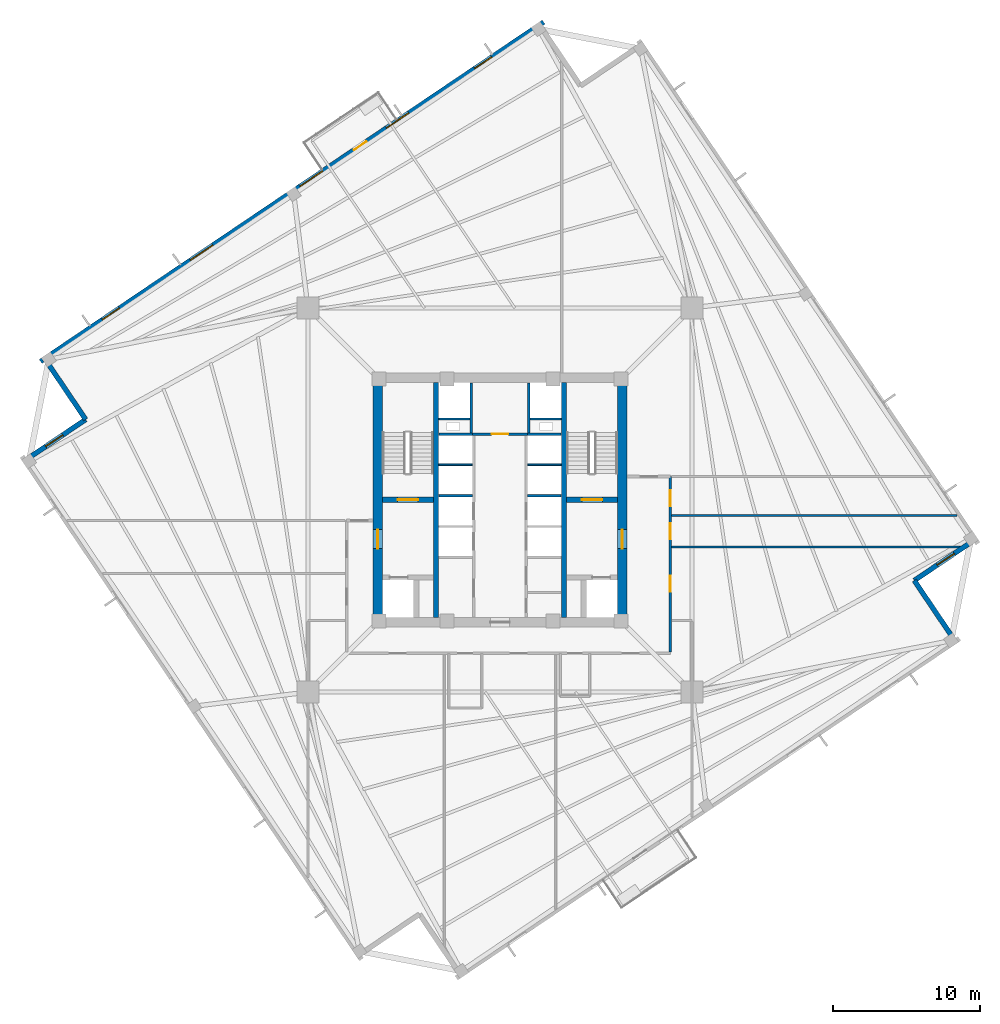
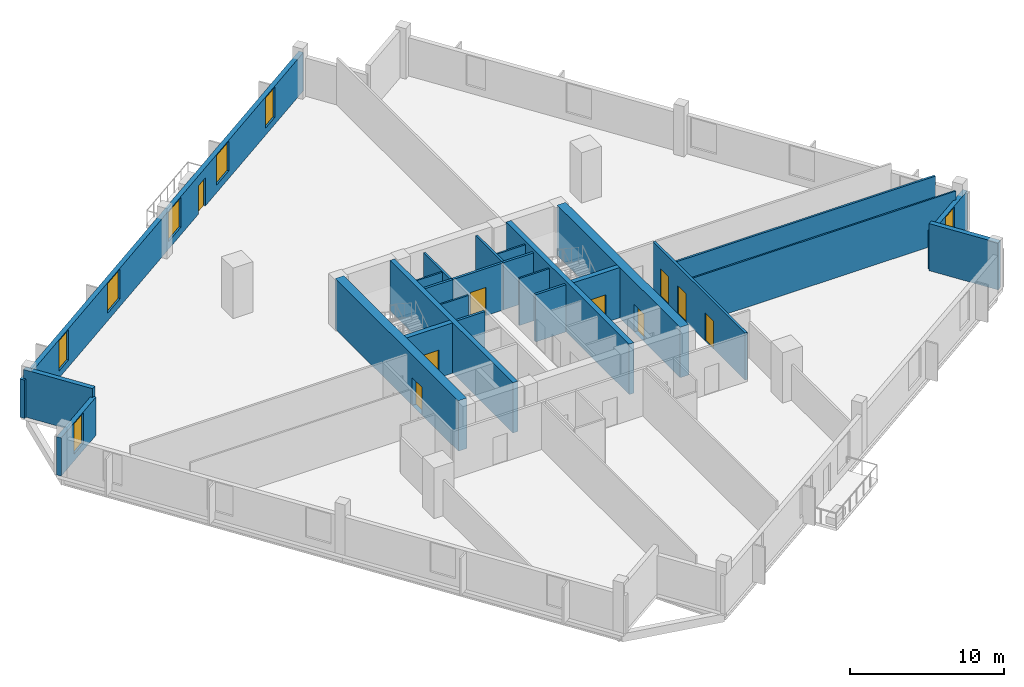
# One storey, part 4 of 8: 25 walls, 9 doors, 7 windows, 16 openings.
"""IFC4 building model written with IfcOpenShell, lengths in metres."""

from ifc_helpers import new_model, si_unit, direction, frame, frame_2d, origin, place, context, subcontext, project, spatial, rectangle, extrude, source, transform, mapped, material, layer, layer_set, type_object, element, fill, save


model = new_model("IFC4")

# Units and contexts
model_context = context("Model", 3, precision=1e-05, world=origin(), true_north=direction((0.0, 1.0)))
body_context = subcontext(model_context, "Body", "Model", "MODEL_VIEW")
ifc_project = project(units=[si_unit("LENGTHUNIT", "METRE"), si_unit("AREAUNIT", "SQUARE_METRE"), si_unit("VOLUMEUNIT", "CUBIC_METRE"), si_unit("PLANEANGLEUNIT", "RADIAN"), si_unit("MASSUNIT", "GRAM", prefix="KILO"), si_unit("THERMODYNAMICTEMPERATUREUNIT", "KELVIN")], contexts=[model_context])

# Site, building, storey
site_placement = place(None, origin())
site = spatial("IfcSite", under=ifc_project, at=site_placement, CompositionType="ELEMENT")
building_placement = place(site_placement, origin())
building = spatial("IfcBuilding", under=site, at=building_placement, Name="Kosmvard Interchange Tower", CompositionType="ELEMENT")
storey_placement = place(building_placement, frame((0.0, 0.0, 176.39990234375)))
storey = spatial("IfcBuildingStorey", under=building, at=storey_placement, Name="L42", CompositionType="ELEMENT", Elevation=176.39990234375)

# Walls
ifc_material_1 = material(Name="Acoustic gypsum partition system")
ifc_layer_1 = layer(ifc_material_1, 0.14990234375, Name="Acoustic gypsum partition system")
ifc_layer_set_1 = layer_set([ifc_layer_1], Name="Acoustic gypsum partition system")
wall_type_1 = type_object("IfcWallType", Name="Acoustic Suite & Meeting Partition 150", PredefinedType="PARTITIONING", material=ifc_layer_set_1)
wall_1_placement = place(storey_placement, frame((11.695068359375, -1.050048828125, 0.0), z_axis=(0.0, 0.0, 1.0), x_axis=(1.0, 0.0, 0.0)))
element("IfcWall", 1, at=wall_1_placement, inside=storey, type_object=wall_type_1, Name="L42 Room Partition 03.1", PredefinedType="PARTITIONING", context=body_context, shape_type="SweptSolid", body=[
    extrude(rectangle(XDim=19.43994140625, YDim=0.14990234375, at=frame_2d((9.719970703125, 0.0))), origin(), (0.0, 0.0, 1.0), 3.739990234375),
])
ifc_material_2 = material(Name="Fire-rated gypsum partition system")
ifc_layer_2 = layer(ifc_material_2, 0.159912109375, Name="Fire-rated gypsum partition system")
ifc_layer_set_2 = layer_set([ifc_layer_2], Name="Fire-rated gypsum partition system")
wall_type_2 = type_object("IfcWallType", Name="Core Compartment & Shuttle Lobby Partition 160", PredefinedType="PARTITIONING", material=ifc_layer_set_2)
for number, where, z_axis, x_axis, name in (
    (2, (-1.9599609375, 4.580078125, 0.0), (0.0, 0.0, 1.0), (0.0, 1.0, 0.0), "L42 North Core West Wall"),
    (3, (1.9599609375, 4.580078125, 0.0), (0.0, 0.0, 1.0), (0.0, 1.0, 0.0), "L42 North Core East Wall"),
):
    element("IfcWall", number, at=place(storey_placement, frame(where, z_axis=z_axis, x_axis=x_axis)), inside=storey, type_object=wall_type_2, Name=name, PredefinedType="PARTITIONING", context=body_context, shape_type="SweptSolid", body=[
        extrude(rectangle(XDim=3.39990234375, YDim=0.159912109375, at=frame_2d((1.699951171875, 0.0))), origin(), (0.0, 0.0, 1.0), 3.739990234375),
    ])

# Wall, opening, door
ifc_layer_3 = layer(ifc_material_2, 0.179931640625, Name="Fire-rated gypsum partition system")
ifc_layer_set_3 = layer_set([ifc_layer_3], Name="Fire-rated gypsum partition system")
wall_type_3 = type_object("IfcWallType", Name="Corridor & Hotel Compartment Partition 180", PredefinedType="PARTITIONING", material=ifc_layer_set_3)
wall_2_placement = place(storey_placement, frame((-1.8798828125, 4.489990234375, 0.0), z_axis=(0.0, 0.0, 1.0), x_axis=(1.0, 0.0, 0.0)))
wall_2 = element("IfcWall", 4, at=wall_2_placement, inside=storey, type_object=wall_type_3, Name="L42 Lift Lobby North Partition", PredefinedType="PARTITIONING", context=body_context, shape_type="SweptSolid", body=[
    extrude(rectangle(XDim=3.759765625, YDim=0.179931640625, at=frame_2d((1.8798828125, 0.0))), origin(), (0.0, 0.0, 1.0), 3.739990234375),
])
opening_1_placement = place(wall_2_placement, frame((1.304931640625, 0.0, 0.0)))
opening_1 = element("IfcOpeningElement", 5, at=opening_1_placement, cuts=wall_2, Name="Opening L42-KD1", PredefinedType="OPENING", context=body_context, shape_type="SweptSolid", body=[
    extrude(rectangle(XDim=1.14990234375, YDim=2.25, at=frame_2d((0.574951171875, 1.125))), frame((0.0, 0.10009765625, 0.0), z_axis=(0.0, -1.0, 0.0), x_axis=(1.0, 0.0, 0.0)), (0.0, 0.0, 1.0), 0.199951171875),
])
ifc_material_3 = material(Name="Painted fire-rated steel leaf", Category="steel")
door_type_1 = type_object("IfcDoorType", Name="Plant & Riser Fire Door 1150x2250 EI60", OperationType="NOTDEFINED", PredefinedType="DOOR", material=ifc_material_3)
shared_shape_1 = source(origin(), body_context, "Body", "SweptSolid", [
    extrude(rectangle(XDim=1.14990234375, YDim=2.25, at=frame_2d((0.574951171875, 1.125))), frame((0.0, 0.02490234375, 0.0), z_axis=(0.0, -1.0, 0.0), x_axis=(1.0, 0.0, 0.0)), (0.0, 0.0, 1.0), 0.050048828125),
])
door_1_placement = place(opening_1_placement, origin())
door_1 = element("IfcDoor", 6, at=door_1_placement, inside=storey, type_object=door_type_1, Name="L42 Core IT Room Door", OperationType="SINGLE_SWING_LEFT", OverallHeight=2.25, OverallWidth=1.14990234375, PredefinedType="DOOR", context=body_context, shape_type="MappedRepresentation", body=[
    mapped(shared_shape_1, transform((0.0, 0.0, 0.0), scale=1.0)),
])
fill(opening_1, door_1)

# Wall, openings, doors
wall_3_placement = place(storey_placement, frame((11.60009765625, -10.35009765625, 0.0), z_axis=(0.0, 0.0, 1.0), x_axis=(0.0, 1.0, 0.0)))
wall_3 = element("IfcWall", 7, at=wall_3_placement, inside=storey, type_object=wall_type_3, Name="L42 Corridor Wall CE", PredefinedType="PARTITIONING", context=body_context, shape_type="SweptSolid", body=[
    extrude(rectangle(XDim=11.9501953125, YDim=0.179931640625, at=frame_2d((5.97509765625, 0.0))), origin(), (0.0, 0.0, 1.0), 3.739990234375),
])
opening_2_placement = place(wall_3_placement, frame((9.91064453125, 0.0, 0.0)))
opening_2 = element("IfcOpeningElement", 8, at=opening_2_placement, cuts=wall_3, Name="Opening L42-D05", PredefinedType="OPENING", context=body_context, shape_type="SweptSolid", body=[
    extrude(rectangle(XDim=1.10009765625, YDim=2.199951171875, at=frame_2d((0.550048828125, 1.10009765625))), frame((0.0, 0.10009765625, 0.0), z_axis=(0.0, -1.0, 0.0), x_axis=(1.0, 0.0, 0.0)), (0.0, 0.0, 1.0), 0.199951171875),
])
opening_3_placement = place(wall_3_placement, frame((4.10009765625, 0.0, 0.0)))
opening_3 = element("IfcOpeningElement", 9, at=opening_3_placement, cuts=wall_3, Name="Opening L42-D11", PredefinedType="OPENING", context=body_context, shape_type="SweptSolid", body=[
    extrude(rectangle(XDim=1.10009765625, YDim=2.199951171875, at=frame_2d((0.550048828125, 1.10009765625))), frame((0.0, 0.10009765625, 0.0), z_axis=(0.0, -1.0, 0.0), x_axis=(1.0, 0.0, 0.0)), (0.0, 0.0, 1.0), 0.199951171875),
])
opening_4_placement = place(wall_3_placement, frame((7.675048828125, 0.0, 0.0)))
opening_4 = element("IfcOpeningElement", 10, at=opening_4_placement, cuts=wall_3, Name="Opening L42-D12", PredefinedType="OPENING", context=body_context, shape_type="SweptSolid", body=[
    extrude(rectangle(XDim=1.10009765625, YDim=2.199951171875, at=frame_2d((0.550048828125, 1.10009765625))), frame((0.0, 0.10009765625, 0.0), z_axis=(0.0, -1.0, 0.0), x_axis=(1.0, 0.0, 0.0)), (0.0, 0.0, 1.0), 0.199951171875),
])
ifc_material_4 = material(Name="Engineered oak fire-rated timber", Category="wood")
door_type_2 = type_object("IfcDoorType", Name="Office Suite Entrance Door 1100x2200 FD30S", OperationType="NOTDEFINED", PredefinedType="DOOR", material=ifc_material_4)
shared_shape_2 = source(origin(), body_context, "Body", "SweptSolid", [
    extrude(rectangle(XDim=1.10009765625, YDim=2.199951171875, at=frame_2d((0.550048828125, 1.10009765625))), frame((0.0, 0.02490234375, 0.0), z_axis=(0.0, -1.0, 0.0), x_axis=(1.0, 0.0, 0.0)), (0.0, 0.0, 1.0), 0.050048828125),
])
door_2_placement = place(opening_2_placement, frame((1.10009765625, 0.0, 0.0), z_axis=(0.0, 0.0, 1.0), x_axis=(-1.0, 0.0, 0.0)))
door_2 = element("IfcDoor", 11, at=door_2_placement, inside=storey, type_object=door_type_2, Name="L42 East Market Briefing Hall Door", OperationType="SINGLE_SWING_LEFT", OverallHeight=2.199951171875, OverallWidth=1.10009765625, PredefinedType="DOOR", context=body_context, shape_type="MappedRepresentation", body=[
    mapped(shared_shape_2, transform((0.0, 0.0, 0.0), scale=1.0)),
])
fill(opening_2, door_2)
door_3_placement = place(opening_3_placement, frame((1.10009765625, 0.0, 0.0), z_axis=(0.0, 0.0, 1.0), x_axis=(-1.0, 0.0, 0.0)))
door_3 = element("IfcDoor", 12, at=door_3_placement, inside=storey, type_object=door_type_2, Name="L42 Communal Catering Pantry Door", OperationType="SINGLE_SWING_LEFT", OverallHeight=2.199951171875, OverallWidth=1.10009765625, PredefinedType="DOOR", context=body_context, shape_type="MappedRepresentation", body=[
    mapped(shared_shape_2, transform((0.0, 0.0, 0.0), scale=1.0)),
])
fill(opening_3, door_3)
door_4_placement = place(opening_4_placement, frame((1.10009765625, 0.0, 0.0), z_axis=(0.0, 0.0, 1.0), x_axis=(-1.0, 0.0, 0.0)))
door_4 = element("IfcDoor", 13, at=door_4_placement, inside=storey, type_object=door_type_2, Name="L42 Deal Conference Room 2 Door", OperationType="SINGLE_SWING_RIGHT", OverallHeight=2.199951171875, OverallWidth=1.10009765625, PredefinedType="DOOR", context=body_context, shape_type="MappedRepresentation", body=[
    mapped(shared_shape_2, transform((0.0, 0.0, 0.0), scale=1.0)),
])
fill(opening_4, door_4)

# Wall, opening, door
ifc_material_5 = material(Name="Concrete C70/85", Category="concrete")
ifc_layer_4 = layer(ifc_material_5, 0.64990234375, Name="Concrete C70/85")
ifc_layer_set_4 = layer_set([ifc_layer_4], Name="Concrete C70/85")
wall_type_4 = type_object("IfcWallType", Name="Mid Core Shear Wall 650 C70/85", PredefinedType="SHEAR", material=ifc_layer_set_4)
wall_4_placement = place(storey_placement, frame((-8.324951171875, -8.0, 0.0), z_axis=(0.0, 0.0, 1.0), x_axis=(0.0, 1.0, 0.0)))
wall_4 = element("IfcWall", 14, at=wall_4_placement, inside=storey, type_object=wall_type_4, Name="L42 Core Shear Wall CW-W", PredefinedType="SHEAR", context=body_context, shape_type="SweptSolid", body=[
    extrude(rectangle(XDim=16.0, YDim=0.64990234375, at=frame_2d((8.0, 0.0))), origin(), (0.0, 0.0, 1.0), 4.0),
])
opening_5_placement = place(wall_4_placement, frame((4.68994140625, 0.0, 0.0)))
opening_5 = element("IfcOpeningElement", 15, at=opening_5_placement, cuts=wall_4, Name="Opening L42-FD1", PredefinedType="OPENING", context=body_context, shape_type="SweptSolid", body=[
    extrude(rectangle(XDim=1.300048828125, YDim=2.199951171875, at=frame_2d((0.64990234375, 1.10009765625))), frame((0.0, 0.3349609375, 0.0), z_axis=(0.0, -1.0, 0.0), x_axis=(1.0, 0.0, 0.0)), (0.0, 0.0, 1.0), 0.669921875),
])
door_type_3 = type_object("IfcDoorType", Name="Firefighting Lobby Door 1300x2200 EI60", OperationType="NOTDEFINED", PredefinedType="DOOR", material=ifc_material_3)
shared_shape_3 = source(origin(), body_context, "Body", "SweptSolid", [
    extrude(rectangle(XDim=1.300048828125, YDim=2.199951171875, at=frame_2d((0.64990234375, 1.10009765625))), frame((0.0, 0.02490234375, 0.0), z_axis=(0.0, -1.0, 0.0), x_axis=(1.0, 0.0, 0.0)), (0.0, 0.0, 1.0), 0.050048828125),
])
door_5_placement = place(opening_5_placement, frame((1.300048828125, 0.0, 0.0), z_axis=(0.0, 0.0, 1.0), x_axis=(-1.0, 0.0, 0.0)))
door_5 = element("IfcDoor", 16, at=door_5_placement, inside=storey, type_object=door_type_3, Name="L42 Firefighting Lobby West Door", OperationType="SINGLE_SWING_LEFT", OverallHeight=2.199951171875, OverallWidth=1.300048828125, PredefinedType="DOOR", context=body_context, shape_type="MappedRepresentation", body=[
    mapped(shared_shape_3, transform((0.0, 0.0, 0.0), scale=1.0)),
])
fill(opening_5, door_5)

wall_5_placement = place(storey_placement, frame((8.324951171875, -8.0, 0.0), z_axis=(0.0, 0.0, 1.0), x_axis=(0.0, 1.0, 0.0)))
wall_5 = element("IfcWall", 17, at=wall_5_placement, inside=storey, type_object=wall_type_4, Name="L42 Core Shear Wall CW-E", PredefinedType="SHEAR", context=body_context, shape_type="SweptSolid", body=[
    extrude(rectangle(XDim=16.0, YDim=0.64990234375, at=frame_2d((8.0, 0.0))), origin(), (0.0, 0.0, 1.0), 4.0),
])
opening_6_placement = place(wall_5_placement, frame((4.68994140625, 0.0, 0.0)))
opening_6 = element("IfcOpeningElement", 18, at=opening_6_placement, cuts=wall_5, Name="Opening L42-FD2", PredefinedType="OPENING", context=body_context, shape_type="SweptSolid", body=[
    extrude(rectangle(XDim=1.300048828125, YDim=2.199951171875, at=frame_2d((0.64990234375, 1.10009765625))), frame((0.0, 0.3349609375, 0.0), z_axis=(0.0, -1.0, 0.0), x_axis=(1.0, 0.0, 0.0)), (0.0, 0.0, 1.0), 0.669921875),
])
door_6_placement = place(opening_6_placement, origin())
door_6 = element("IfcDoor", 19, at=door_6_placement, inside=storey, type_object=door_type_3, Name="L42 Firefighting Lobby East Door", OperationType="SINGLE_SWING_RIGHT", OverallHeight=2.199951171875, OverallWidth=1.300048828125, PredefinedType="DOOR", context=body_context, shape_type="MappedRepresentation", body=[
    mapped(shared_shape_3, transform((0.0, 0.0, 0.0), scale=1.0)),
])
fill(opening_6, door_6)

# Wall
ifc_material_6 = material(Name="Precast concrete C45/55", Category="concrete")
ifc_layer_5 = layer(ifc_material_6, 0.340087890625, Name="Precast concrete C45/55")
ifc_layer_set_5 = layer_set([ifc_layer_5], Name="Precast concrete C45/55")
wall_type_5 = type_object("IfcWallType", Name="Mid Tower Precast Pier Wall 340 C45/55", PredefinedType="STANDARD", material=ifc_layer_set_5)
wall_6_placement = place(storey_placement, frame((31.018798828125, -9.631103515625, 0.0), z_axis=(0.0, 0.0, 1.0), x_axis=(-0.559210350234, 0.829025804298, 0.0)))
element("IfcWall", 20, at=wall_6_placement, inside=storey, type_object=wall_type_5, Name="L42 Precast Facade Wall N-SE1", PredefinedType="STANDARD", context=body_context, shape_type="SweptSolid", body=[
    extrude(rectangle(XDim=5.000244140625, YDim=0.340087890625, at=frame_2d((2.5, 0.0))), origin(), (0.0, 0.0, 1.0), 3.739990234375),
])

# Wall, opening, window
wall_7_placement = place(storey_placement, frame((28.22265625, -5.48583984375, 0.0), z_axis=(0.0, 0.0, 1.0), x_axis=(0.82905227345, 0.559171107879, 0.0)))
wall_7 = element("IfcWall", 21, at=wall_7_placement, inside=storey, type_object=wall_type_5, Name="L42 Precast Facade Wall N-SE2", PredefinedType="STANDARD", context=body_context, shape_type="SweptSolid", body=[
    extrude(rectangle(XDim=5.169921875, YDim=0.340087890625, at=frame_2d((2.5849609375, 0.0))), origin(), (0.0, 0.0, 1.0), 3.0400390625),
])
opening_7_placement = place(wall_7_placement, frame((1.885009765625, 0.0, 0.56005859375)))
opening_7 = element("IfcOpeningElement", 22, at=opening_7_placement, cuts=wall_7, Name="Opening L42-W21", PredefinedType="OPENING", context=body_context, shape_type="SweptSolid", body=[
    extrude(rectangle(XDim=1.39990234375, YDim=2.39990234375, at=frame_2d((0.699951171875, 1.199951171875))), frame((0.0, 0.18017578125, 0.0), z_axis=(0.0, -1.0, 0.0), x_axis=(1.0, 0.0, 0.0)), (0.0, 0.0, 1.0), 0.360107421875),
])
ifc_material_7 = material(Name="Low-E solar-control double glazing", Category="glass")
window_type_1 = type_object("IfcWindowType", Name="Notched Corner Feature Window 1400x2400", PartitioningType="SINGLE_PANEL", PredefinedType="WINDOW", material=ifc_material_7)
shared_shape_4 = source(origin(), body_context, "Body", "SweptSolid", [
    extrude(rectangle(XDim=1.39990234375, YDim=2.39990234375, at=frame_2d((0.699951171875, 1.199951171875))), frame((0.0, 0.030029296875, 0.0), z_axis=(0.0, -1.0, 0.0), x_axis=(1.0, 0.0, 0.0)), (0.0, 0.0, 1.0), 0.06005859375),
])
window_1_placement = place(opening_7_placement, origin())
window_1 = element("IfcWindow", 23, at=window_1_placement, inside=storey, type_object=window_type_1, Name="L42 Corner Notch Window 21", OverallHeight=2.39990234375, OverallWidth=1.39990234375, PartitioningType="SINGLE_PANEL", PredefinedType="WINDOW", context=body_context, shape_type="MappedRepresentation", body=[
    mapped(shared_shape_4, transform((0.0, 0.0, 0.0), scale=1.0)),
])
fill(opening_7, window_1)

# Wall, openings, door, windows
wall_8_placement = place(storey_placement, frame((2.971923828125, 32.55810546875, 0.0), z_axis=(0.0, 0.0, 1.0), x_axis=(-0.829036218961, -0.559194910251, 0.0)))
wall_8 = element("IfcWall", 24, at=wall_8_placement, inside=storey, type_object=wall_type_5, Name="L42 Precast Facade Wall F-N", PredefinedType="STANDARD", context=body_context, shape_type="SweptSolid", body=[
    extrude(rectangle(XDim=41.340087890625, YDim=0.340087890625, at=frame_2d((20.669921875, 0.0))), origin(), (0.0, 0.0, 1.0), 3.0400390625),
])
opening_8_placement = place(wall_8_placement, frame((14.544921875, 0.0, 0.0)))
opening_8 = element("IfcOpeningElement", 25, at=opening_8_placement, cuts=wall_8, Name="Opening L42-BDN", PredefinedType="OPENING", context=body_context, shape_type="SweptSolid", body=[
    extrude(rectangle(XDim=1.050048828125, YDim=2.25, at=frame_2d((0.52490234375, 1.125))), frame((0.0, 0.18017578125, 0.0), z_axis=(0.0, -1.0, 0.0), x_axis=(1.0, 0.0, 0.0)), (0.0, 0.0, 1.0), 0.360107421875),
])
opening_9_placement = place(wall_8_placement, frame((4.2607421875, 0.0, 0.56005859375)))
opening_9 = element("IfcOpeningElement", 26, at=opening_9_placement, cuts=wall_8, Name="Opening L42-W11", PredefinedType="OPENING", context=body_context, shape_type="SweptSolid", body=[
    extrude(rectangle(XDim=1.39990234375, YDim=2.39990234375, at=frame_2d((0.699951171875, 1.199951171875))), frame((0.0, 0.18017578125, 0.0), z_axis=(0.0, -1.0, 0.0), x_axis=(1.0, 0.0, 0.0)), (0.0, 0.0, 1.0), 0.360107421875),
])
opening_10_placement = place(wall_8_placement, frame((11.063720703125, 0.0, 0.610107421875)))
opening_10 = element("IfcOpeningElement", 27, at=opening_10_placement, cuts=wall_8, Name="Opening L42-W12", PredefinedType="OPENING", context=body_context, shape_type="SweptSolid", body=[
    extrude(rectangle(XDim=1.85009765625, YDim=2.35009765625, at=frame_2d((0.925048828125, 1.175048828125))), frame((0.0, 0.18017578125, 0.0), z_axis=(0.0, -1.0, 0.0), x_axis=(1.0, 0.0, 0.0)), (0.0, 0.0, 1.0), 0.360107421875),
])
opening_11_placement = place(wall_8_placement, frame((18.168212890625, 0.0, 0.610107421875)))
opening_11 = element("IfcOpeningElement", 28, at=opening_11_placement, cuts=wall_8, Name="Opening L42-W13", PredefinedType="OPENING", context=body_context, shape_type="SweptSolid", body=[
    extrude(rectangle(XDim=1.85009765625, YDim=2.35009765625, at=frame_2d((0.925048828125, 1.175048828125))), frame((0.0, 0.18017578125, 0.0), z_axis=(0.0, -1.0, 0.0), x_axis=(1.0, 0.0, 0.0)), (0.0, 0.0, 1.0), 0.360107421875),
])
opening_12_placement = place(wall_8_placement, frame((27.186279296875, 0.0, 0.610107421875)))
opening_12 = element("IfcOpeningElement", 29, at=opening_12_placement, cuts=wall_8, Name="Opening L42-W14", PredefinedType="OPENING", context=body_context, shape_type="SweptSolid", body=[
    extrude(rectangle(XDim=1.85009765625, YDim=2.35009765625, at=frame_2d((0.925048828125, 1.175048828125))), frame((0.0, 0.18017578125, 0.0), z_axis=(0.0, -1.0, 0.0), x_axis=(1.0, 0.0, 0.0)), (0.0, 0.0, 1.0), 0.360107421875),
])
opening_13_placement = place(wall_8_placement, frame((34.852294921875, 0.0, 0.56005859375)))
opening_13 = element("IfcOpeningElement", 30, at=opening_13_placement, cuts=wall_8, Name="Opening L42-W15", PredefinedType="OPENING", context=body_context, shape_type="SweptSolid", body=[
    extrude(rectangle(XDim=1.39990234375, YDim=2.39990234375, at=frame_2d((0.699951171875, 1.199951171875))), frame((0.0, 0.18017578125, 0.0), z_axis=(0.0, -1.0, 0.0), x_axis=(1.0, 0.0, 0.0)), (0.0, 0.0, 1.0), 0.360107421875),
])
ifc_material_8 = material(Name="Anodised aluminium and safety glass", Category="aluminium")
door_type_4 = type_object("IfcDoorType", Name="Tree-Balcony Glazed Door 1050x2250", OperationType="NOTDEFINED", PredefinedType="DOOR", material=ifc_material_8)
shared_shape_5 = source(origin(), body_context, "Body", "SweptSolid", [
    extrude(rectangle(XDim=1.050048828125, YDim=2.25, at=frame_2d((0.52490234375, 1.125))), frame((0.0, 0.02490234375, 0.0), z_axis=(0.0, -1.0, 0.0), x_axis=(1.0, 0.0, 0.0)), (0.0, 0.0, 1.0), 0.050048828125),
])
door_7_placement = place(opening_8_placement, origin())
door_7 = element("IfcDoor", 31, at=door_7_placement, inside=storey, type_object=door_type_4, Name="L42 Tree-Balcony Door BAL-L42-N", OperationType="SINGLE_SWING_LEFT", OverallHeight=2.25, OverallWidth=1.050048828125, PredefinedType="DOOR", context=body_context, shape_type="MappedRepresentation", body=[
    mapped(shared_shape_5, transform((0.0, 0.0, 0.0), scale=1.0)),
])
fill(opening_8, door_7)
window_2_placement = place(opening_9_placement, origin())
window_2 = element("IfcWindow", 32, at=window_2_placement, inside=storey, type_object=window_type_1, Name="L42 Facade Punched Window 11", OverallHeight=2.39990234375, OverallWidth=1.39990234375, PartitioningType="SINGLE_PANEL", PredefinedType="WINDOW", context=body_context, shape_type="MappedRepresentation", body=[
    mapped(shared_shape_4, transform((0.0, 0.0, 0.0), scale=1.0)),
])
fill(opening_9, window_2)
window_3_placement = place(opening_13_placement, origin())
window_3 = element("IfcWindow", 33, at=window_3_placement, inside=storey, type_object=window_type_1, Name="L42 Facade Punched Window 15", OverallHeight=2.39990234375, OverallWidth=1.39990234375, PartitioningType="SINGLE_PANEL", PredefinedType="WINDOW", context=body_context, shape_type="MappedRepresentation", body=[
    mapped(shared_shape_4, transform((0.0, 0.0, 0.0), scale=1.0)),
])
fill(opening_13, window_3)
window_type_2 = type_object("IfcWindowType", Name="Zone 3 Office Punched Window 1850x2350", PartitioningType="SINGLE_PANEL", PredefinedType="WINDOW", material=ifc_material_7)
shared_shape_6 = source(origin(), body_context, "Body", "SweptSolid", [
    extrude(rectangle(XDim=1.85009765625, YDim=2.35009765625, at=frame_2d((0.925048828125, 1.175048828125))), frame((0.0, 0.030029296875, 0.0), z_axis=(0.0, -1.0, 0.0), x_axis=(1.0, 0.0, 0.0)), (0.0, 0.0, 1.0), 0.06005859375),
])
window_4_placement = place(opening_10_placement, origin())
window_4 = element("IfcWindow", 34, at=window_4_placement, inside=storey, type_object=window_type_2, Name="L42 Facade Punched Window 12", OverallHeight=2.35009765625, OverallWidth=1.85009765625, PartitioningType="SINGLE_PANEL", PredefinedType="WINDOW", context=body_context, shape_type="MappedRepresentation", body=[
    mapped(shared_shape_6, transform((0.0, 0.0, 0.0), scale=1.0)),
])
fill(opening_10, window_4)
window_5_placement = place(opening_11_placement, origin())
window_5 = element("IfcWindow", 35, at=window_5_placement, inside=storey, type_object=window_type_2, Name="L42 Facade Punched Window 13", OverallHeight=2.35009765625, OverallWidth=1.85009765625, PartitioningType="SINGLE_PANEL", PredefinedType="WINDOW", context=body_context, shape_type="MappedRepresentation", body=[
    mapped(shared_shape_6, transform((0.0, 0.0, 0.0), scale=1.0)),
])
fill(opening_11, window_5)
window_6_placement = place(opening_12_placement, origin())
window_6 = element("IfcWindow", 36, at=window_6_placement, inside=storey, type_object=window_type_2, Name="L42 Facade Punched Window 14", OverallHeight=2.35009765625, OverallWidth=1.85009765625, PartitioningType="SINGLE_PANEL", PredefinedType="WINDOW", context=body_context, shape_type="MappedRepresentation", body=[
    mapped(shared_shape_6, transform((0.0, 0.0, 0.0), scale=1.0)),
])
fill(opening_12, window_6)

# Wall
wall_9_placement = place(storey_placement, frame((-31.018798828125, 9.631103515625, 0.0), z_axis=(0.0, 0.0, 1.0), x_axis=(0.559210350234, -0.829025804298, 0.0)))
element("IfcWall", 37, at=wall_9_placement, inside=storey, type_object=wall_type_5, Name="L42 Precast Facade Wall N-NW1", PredefinedType="STANDARD", context=body_context, shape_type="SweptSolid", body=[
    extrude(rectangle(XDim=5.000244140625, YDim=0.340087890625, at=frame_2d((2.5, 0.0))), origin(), (0.0, 0.0, 1.0), 3.739990234375),
])

# Wall, opening, window
wall_10_placement = place(storey_placement, frame((-28.22265625, 5.48583984375, 0.0), z_axis=(0.0, 0.0, 1.0), x_axis=(-0.82905227345, -0.559171107879, 0.0)))
wall_10 = element("IfcWall", 38, at=wall_10_placement, inside=storey, type_object=wall_type_5, Name="L42 Precast Facade Wall N-NW2", PredefinedType="STANDARD", context=body_context, shape_type="SweptSolid", body=[
    extrude(rectangle(XDim=5.169921875, YDim=0.340087890625, at=frame_2d((2.5849609375, 0.0))), origin(), (0.0, 0.0, 1.0), 3.0400390625),
])
opening_14_placement = place(wall_10_placement, frame((1.885009765625, 0.0, 0.56005859375)))
opening_14 = element("IfcOpeningElement", 39, at=opening_14_placement, cuts=wall_10, Name="Opening L42-W22", PredefinedType="OPENING", context=body_context, shape_type="SweptSolid", body=[
    extrude(rectangle(XDim=1.39990234375, YDim=2.39990234375, at=frame_2d((0.699951171875, 1.199951171875))), frame((0.0, 0.18017578125, 0.0), z_axis=(0.0, -1.0, 0.0), x_axis=(1.0, 0.0, 0.0)), (0.0, 0.0, 1.0), 0.360107421875),
])
window_7_placement = place(opening_14_placement, origin())
window_7 = element("IfcWindow", 40, at=window_7_placement, inside=storey, type_object=window_type_1, Name="L42 Corner Notch Window 22", OverallHeight=2.39990234375, OverallWidth=1.39990234375, PartitioningType="SINGLE_PANEL", PredefinedType="WINDOW", context=body_context, shape_type="MappedRepresentation", body=[
    mapped(shared_shape_4, transform((0.0, 0.0, 0.0), scale=1.0)),
])
fill(opening_14, window_7)

# Walls
ifc_material_9 = material(Name="Gypsum board partition system")
ifc_layer_6 = layer(ifc_material_9, 0.1201171875, Name="Gypsum board partition system")
ifc_layer_set_6 = layer_set([ifc_layer_6], Name="Gypsum board partition system")
wall_type_6 = type_object("IfcWallType", Name="Office Cellular Partition 120", PredefinedType="PARTITIONING", material=ifc_layer_set_6)
wall_11_placement = place(storey_placement, frame((11.695068359375, -3.199951171875, 0.0), z_axis=(0.0, 0.0, 1.0), x_axis=(1.0, 0.0, 0.0)))
element("IfcWall", 41, at=wall_11_placement, inside=storey, type_object=wall_type_6, Name="L42 Room Partition 12.1", PredefinedType="PARTITIONING", context=body_context, shape_type="SweptSolid", body=[
    extrude(rectangle(XDim=19.72900390625, YDim=0.1201171875, at=frame_2d((9.864501953125, 0.0))), origin(), (0.0, 0.0, 1.0), 3.739990234375),
])
ifc_material_10 = material(Name="Concrete blockwork masonry", Category="masonry")
ifc_layer_7 = layer(ifc_material_10, 0.179931640625, Name="Concrete blockwork masonry")
ifc_layer_set_7 = layer_set([ifc_layer_7], Name="Concrete blockwork masonry")
wall_type_7 = type_object("IfcWallType", Name="Riser & Lift Bank Divider Wall 180", PredefinedType="PARTITIONING", material=ifc_layer_set_7)
for number, where, z_axis, x_axis, name in (
    (42, (-4.169921875, 0.300048828125, 0.0), (0.0, 0.0, 1.0), (1.0, 0.0, 0.0), "L42 West Bank Divider BD2"),
    (43, (1.889892578125, 0.300048828125, 0.0), (0.0, 0.0, 1.0), (1.0, 0.0, 0.0), "L42 East Bank Divider BD2"),
    (44, (-4.169921875, 4.489990234375, 0.0), (0.0, 0.0, 1.0), (1.0, 0.0, 0.0), "L42 West Bank Divider BD3"),
    (45, (1.889892578125, 4.489990234375, 0.0), (0.0, 0.0, 1.0), (1.0, 0.0, 0.0), "L42 East Bank Divider BD3"),
):
    element("IfcWall", number, at=place(storey_placement, frame(where, z_axis=z_axis, x_axis=x_axis)), inside=storey, type_object=wall_type_7, Name=name, PredefinedType="PARTITIONING", context=body_context, shape_type="SweptSolid", body=[
        extrude(rectangle(XDim=2.280029296875, YDim=0.179931640625, at=frame_2d((1.14013671875, 0.0))), origin(), (0.0, 0.0, 1.0), 3.739990234375),
    ])
ifc_material_11 = material(Name="Fire-rated gypsum shaftwall system")
ifc_layer_8 = layer(ifc_material_11, 0.1201171875, Name="Fire-rated gypsum shaftwall system")
ifc_layer_set_8 = layer_set([ifc_layer_8], Name="Fire-rated gypsum shaftwall system")
wall_type_8 = type_object("IfcWallType", Name="Shaft & Riser Fire Partition 120 EI60", PredefinedType="PARTITIONING", material=ifc_layer_set_8)
for number, where, z_axis, x_axis, name in (
    (46, (-4.159912109375, 2.39990234375, 0.0), (0.0, 0.0, 1.0), (1.0, 0.0, 0.0), "L42 Shaft Divider PL-H1"),
    (47, (1.89990234375, 2.39990234375, 0.0), (0.0, 0.0, 1.0), (1.0, 0.0, 0.0), "L42 Shaft Divider PL-H3"),
):
    element("IfcWall", number, at=place(storey_placement, frame(where, z_axis=z_axis, x_axis=x_axis)), inside=storey, type_object=wall_type_8, Name=name, PredefinedType="PARTITIONING", context=body_context, shape_type="SweptSolid", body=[
        extrude(rectangle(XDim=2.260009765625, YDim=0.1201171875, at=frame_2d((1.1298828125, 0.0))), origin(), (0.0, 0.0, 1.0), 3.739990234375),
    ])
for number, where, z_axis, x_axis, name in (
    (48, (-4.159912109375, 5.52001953125, 0.0), (0.0, 0.0, 1.0), (1.0, 0.0, 0.0), "L42 Riser Shaft Divider W"),
    (49, (2.06005859375, 5.52001953125, 0.0), (0.0, 0.0, 1.0), (1.0, 0.0, 0.0), "L42 Riser Shaft Divider E"),
):
    element("IfcWall", number, at=place(storey_placement, frame(where, z_axis=z_axis, x_axis=x_axis)), inside=storey, type_object=wall_type_8, Name=name, PredefinedType="PARTITIONING", context=body_context, shape_type="SweptSolid", body=[
        extrude(rectangle(XDim=2.099853515625, YDim=0.1201171875, at=frame_2d((1.0498046875, 0.0))), origin(), (0.0, 0.0, 1.0), 3.739990234375),
    ])
ifc_material_12 = material(Name="Concrete C60/75", Category="concrete")
ifc_layer_9 = layer(ifc_material_12, 0.360107421875, Name="Concrete C60/75")
ifc_layer_set_9 = layer_set([ifc_layer_9], Name="Concrete C60/75")
wall_type_9 = type_object("IfcWallType", Name="Stair & Lift Shaft Shear Wall 360 C60/75", PredefinedType="SHEAR", material=ifc_layer_set_9)
for number, where, z_axis, x_axis, name in (
    (50, (-4.360107421875, -8.0, 0.0), (0.0, 0.0, 1.0), (0.0, 1.0, 0.0), "L42 Shaft Shear Wall SW-W"),
    (51, (4.360107421875, -8.0, 0.0), (0.0, 0.0, 1.0), (0.0, 1.0, 0.0), "L42 Shaft Shear Wall SW-E"),
):
    element("IfcWall", number, at=place(storey_placement, frame(where, z_axis=z_axis, x_axis=x_axis)), inside=storey, type_object=wall_type_9, Name=name, PredefinedType="SHEAR", context=body_context, shape_type="SweptSolid", body=[
        extrude(rectangle(XDim=16.0, YDim=0.360107421875, at=frame_2d((8.0, 0.0))), origin(), (0.0, 0.0, 1.0), 4.0),
    ])

# Wall, opening, door
wall_12_placement = place(storey_placement, frame((-8.0, 0.02001953125, 0.0), z_axis=(0.0, 0.0, 1.0), x_axis=(1.0, 0.0, 0.0)))
wall_12 = element("IfcWall", 52, at=wall_12_placement, inside=storey, type_object=wall_type_9, Name="L42 Shaft Shear Wall SW-ST1", PredefinedType="SHEAR", context=body_context, shape_type="SweptSolid", body=[
    extrude(rectangle(XDim=3.4599609375, YDim=0.360107421875, at=frame_2d((1.72998046875, 0.0))), origin(), (0.0, 0.0, 1.0), 4.0),
])
opening_15_placement = place(wall_12_placement, frame((1.030029296875, 0.0, 0.0)))
opening_15 = element("IfcOpeningElement", 53, at=opening_15_placement, cuts=wall_12, Name="Opening L42-SD1", PredefinedType="OPENING", context=body_context, shape_type="SweptSolid", body=[
    extrude(rectangle(XDim=1.39990234375, YDim=2.199951171875, at=frame_2d((0.699951171875, 1.10009765625))), frame((0.0, 0.18994140625, 0.0), z_axis=(0.0, -1.0, 0.0), x_axis=(1.0, 0.0, 0.0)), (0.0, 0.0, 1.0), 0.380126953125),
])
door_type_5 = type_object("IfcDoorType", Name="Protected Stair Door 1400x2200 FD60S", OperationType="NOTDEFINED", PredefinedType="DOOR", material=ifc_material_3)
shared_shape_7 = source(origin(), body_context, "Body", "SweptSolid", [
    extrude(rectangle(XDim=1.39990234375, YDim=2.199951171875, at=frame_2d((0.699951171875, 1.10009765625))), frame((0.0, 0.02490234375, 0.0), z_axis=(0.0, -1.0, 0.0), x_axis=(1.0, 0.0, 0.0)), (0.0, 0.0, 1.0), 0.050048828125),
])
door_8_placement = place(opening_15_placement, origin())
door_8 = element("IfcDoor", 54, at=door_8_placement, inside=storey, type_object=door_type_5, Name="L42 Stair ST-1 Enclosure Door", OperationType="SINGLE_SWING_LEFT", OverallHeight=2.199951171875, OverallWidth=1.39990234375, PredefinedType="DOOR", context=body_context, shape_type="MappedRepresentation", body=[
    mapped(shared_shape_7, transform((0.0, 0.0, 0.0), scale=1.0)),
])
fill(opening_15, door_8)

wall_13_placement = place(storey_placement, frame((4.5400390625, 0.02001953125, 0.0), z_axis=(0.0, 0.0, 1.0), x_axis=(1.0, 0.0, 0.0)))
wall_13 = element("IfcWall", 55, at=wall_13_placement, inside=storey, type_object=wall_type_9, Name="L42 Shaft Shear Wall SW-ST2", PredefinedType="SHEAR", context=body_context, shape_type="SweptSolid", body=[
    extrude(rectangle(XDim=3.4599609375, YDim=0.360107421875, at=frame_2d((1.72998046875, 0.0))), origin(), (0.0, 0.0, 1.0), 4.0),
])
opening_16_placement = place(wall_13_placement, frame((1.030029296875, 0.0, 0.0)))
opening_16 = element("IfcOpeningElement", 56, at=opening_16_placement, cuts=wall_13, Name="Opening L42-SD2", PredefinedType="OPENING", context=body_context, shape_type="SweptSolid", body=[
    extrude(rectangle(XDim=1.39990234375, YDim=2.199951171875, at=frame_2d((0.699951171875, 1.10009765625))), frame((0.0, 0.18994140625, 0.0), z_axis=(0.0, -1.0, 0.0), x_axis=(1.0, 0.0, 0.0)), (0.0, 0.0, 1.0), 0.380126953125),
])
door_9_placement = place(opening_16_placement, origin())
door_9 = element("IfcDoor", 57, at=door_9_placement, inside=storey, type_object=door_type_5, Name="L42 Stair ST-2 Enclosure Door", OperationType="SINGLE_SWING_RIGHT", OverallHeight=2.199951171875, OverallWidth=1.39990234375, PredefinedType="DOOR", context=body_context, shape_type="MappedRepresentation", body=[
    mapped(shared_shape_7, transform((0.0, 0.0, 0.0), scale=1.0)),
])
fill(opening_16, door_9)

save(model, "model.ifc")
